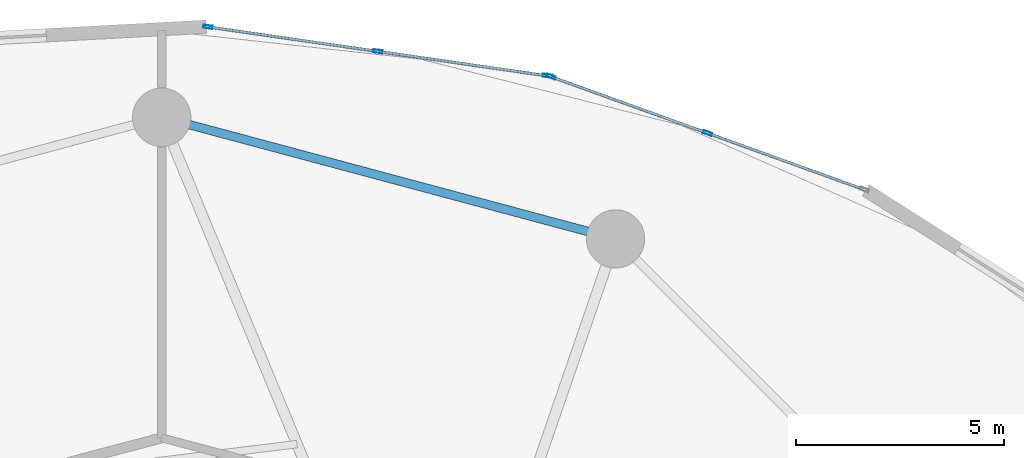
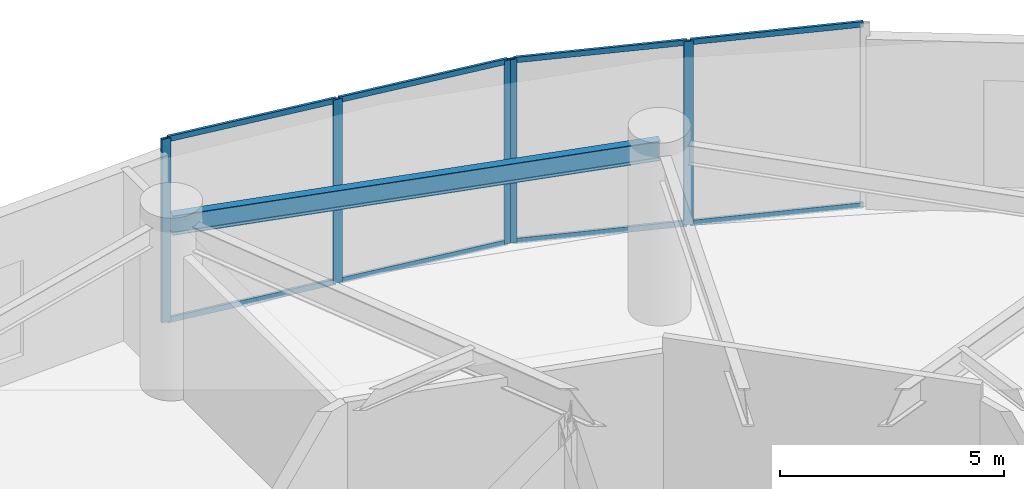
# One storey, part 20 of 31: 13 members, 1 beam, 2 elements without a shape of their own.
"""IFC4 building model written with IfcOpenShell, lengths in metres."""

from ifc_helpers import new_model, si_unit, direction, frame, origin, origin_2d, place, context, subcontext, project, spatial, hollow_rectangle, i_section, extrude, source, transform, mapped, material, layer, layer_set, material_profile, profile_set, type_object, element, aggregate, save


model = new_model("IFC4")

# Units and contexts
model_context = context("Model", 3, precision=1e-05, world=origin(), true_north=direction((0.0, 1.0)))
body_context = subcontext(model_context, "Body", "Model", "MODEL_VIEW")
ifc_project = project(units=[si_unit("LENGTHUNIT", "METRE"), si_unit("AREAUNIT", "SQUARE_METRE"), si_unit("VOLUMEUNIT", "CUBIC_METRE"), si_unit("PLANEANGLEUNIT", "RADIAN"), si_unit("MASSUNIT", "GRAM", prefix="KILO")], contexts=[model_context])

# Site, building, storey
site_placement = place(None, origin())
site = spatial("IfcSite", under=ifc_project, at=site_placement, CompositionType="ELEMENT")
building_placement = place(site_placement, origin())
building = spatial("IfcBuilding", under=site, at=building_placement, Name="Solvirekh Grand Hotel", CompositionType="ELEMENT")
storey_placement = place(building_placement, frame((0.0, 0.0, 18.60009765625)))
storey = spatial("IfcBuildingStorey", under=building, at=storey_placement, Name="L03", CompositionType="ELEMENT", Elevation=18.60009765625)

# Beam
ifc_material_1 = material(Name="Steel S355", Category="steel")
ifc_material_profile_1 = material_profile(ifc_material_1, i_section(OverallWidth=0.208984375, OverallDepth=0.532958984375, WebThickness=0.010009765625, FlangeThickness=0.014892578125, FilletRadius=0.013916015625, at=origin_2d()), Name="W530X92")
ifc_profile_set_1 = profile_set([ifc_material_profile_1], Name="Steel S355")
beam_type = type_object("IfcBeamType", Name="Spandrel_Ring_W530", PredefinedType="SPANDREL", material=ifc_profile_set_1)
beam_placement = place(storey_placement, frame((10.89990234375, 18.87890625, 4.372802734375), z_axis=(-0.965914248703, 0.258862249378, 0.0), x_axis=(-0.258862249378, -0.965914248703, 0.0)))
element("IfcBeam", 1, at=beam_placement, inside=storey, type_object=beam_type, Name="L03 perimeter spandrel beam 3", PredefinedType="SPANDREL", context=body_context, shape_type="SweptSolid", body=[
    extrude(i_section(OverallWidth=0.208984375, OverallDepth=0.532958984375, WebThickness=0.010009765625, FlangeThickness=0.014892578125, FilletRadius=0.013916015625, at=origin_2d()), origin(), (0.0, 0.0, 1.0), 11.284423828125),
])

# Curtain wall, members
ifc_material_2 = material(Name="Anodized Bronze Aluminium 6063-T6", Category="aluminium")
ifc_layer = layer(ifc_material_2, 0.219970703125)
ifc_layer_set = layer_set([ifc_layer], Name="Anodized Bronze Aluminium 6063-T6")
curtain_wall_type = type_object("IfcCurtainWallType", Name="CW_Sys1_PodiumBronzeUnitised", PredefinedType="NOTDEFINED", material=ifc_layer_set)
curtain_wall_1_placement = place(storey_placement, origin())
curtain_wall_1 = element("IfcCurtainWall", 2, at=curtain_wall_1_placement, inside=storey, type_object=curtain_wall_type, Name="L03 unitised bronze-glass curtain wall CW-L03-C05", PredefinedType="NOTDEFINED")
ifc_material_profile_2 = material_profile(ifc_material_2, hollow_rectangle(XDim=0.06494140625, YDim=0.14990234375, WallThickness=0.0048828125, at=origin_2d()), Name="ALU RHS 150X65X5")
ifc_profile_set_2 = profile_set([ifc_material_profile_2], Name="Anodized Bronze Aluminium 6063-T6")
member_type_1 = type_object("IfcMemberType", Name="CWTransom_Sys1", PredefinedType="USERDEFINED", material=ifc_profile_set_2)
shared_shape_1 = source(origin(), body_context, "Body", "SweptSolid", [
    extrude(hollow_rectangle(XDim=0.06494140625, YDim=0.14990234375, WallThickness=0.0048828125, at=origin_2d()), origin(), (0.0, 0.0, 1.0), 3.928466796875),
])
member_1_placement = place(storey_placement, frame((16.841552734375, 20.074462890625, 0.032470703125), z_axis=(-0.94078199805, 0.339012141588, 0.0), x_axis=(-0.339012141588, -0.94078199805, 0.0)))
member_1 = element("IfcMember", 3, at=member_1_placement, type_object=member_type_1, Name="U01 transom 1.1", ObjectType="TRANSOM", PredefinedType="USERDEFINED", context=body_context, shape_type="MappedRepresentation", body=[
    mapped(shared_shape_1, transform((0.0, 0.0, 0.0), x_axis=(1.0, 0.0, 0.0), y_axis=(0.0, 1.0, 0.0), z_axis=(0.0, 0.0, 1.0), scale=1.0)),
])
member_2_placement = place(storey_placement, frame((16.841552734375, 20.074462890625, 4.96728515625), z_axis=(-0.94078199805, 0.339012141588, 0.0), x_axis=(-0.339012141588, -0.94078199805, 0.0)))
member_2 = element("IfcMember", 4, at=member_2_placement, type_object=member_type_1, Name="U01 transom 1.2", ObjectType="TRANSOM", PredefinedType="USERDEFINED", context=body_context, shape_type="MappedRepresentation", body=[
    mapped(shared_shape_1, transform((0.0, 0.0, 0.0), x_axis=(1.0, 0.0, 0.0), y_axis=(0.0, 1.0, 0.0), z_axis=(0.0, 0.0, 1.0), scale=1.0)),
])

curtain_wall_2_placement = place(storey_placement, origin())
curtain_wall_2 = element("IfcCurtainWall", 5, at=curtain_wall_2_placement, inside=storey, type_object=curtain_wall_type, Name="L03 unitised bronze-glass curtain wall CW-L03-C06", PredefinedType="NOTDEFINED")
shared_shape_2 = source(origin(), body_context, "Body", "SweptSolid", [
    extrude(hollow_rectangle(XDim=0.06494140625, YDim=0.14990234375, WallThickness=0.0048828125, at=origin_2d()), origin(), (0.0, 0.0, 1.0), 4.048583984375),
])
member_3_placement = place(storey_placement, frame((5.1533203125, 23.387939453125, 0.032470703125), z_axis=(-0.989777503005, 0.142620105685, 0.0), x_axis=(-0.142620105685, -0.989777503005, 0.0)))
member_3 = element("IfcMember", 6, at=member_3_placement, type_object=member_type_1, Name="U01 transom 2.1", ObjectType="TRANSOM", PredefinedType="USERDEFINED", context=body_context, shape_type="MappedRepresentation", body=[
    mapped(shared_shape_2, transform((0.0, 0.0, 0.0), x_axis=(1.0, 0.0, 0.0), y_axis=(0.0, 1.0, 0.0), z_axis=(0.0, 0.0, 1.0), scale=1.0)),
])
member_4_placement = place(storey_placement, frame((5.1533203125, 23.387939453125, 4.96728515625), z_axis=(-0.989777503005, 0.142620105685, 0.0), x_axis=(-0.142620105685, -0.989777503005, 0.0)))
member_4 = element("IfcMember", 7, at=member_4_placement, type_object=member_type_1, Name="U01 transom 2.2", ObjectType="TRANSOM", PredefinedType="USERDEFINED", context=body_context, shape_type="MappedRepresentation", body=[
    mapped(shared_shape_2, transform((0.0, 0.0, 0.0), x_axis=(1.0, 0.0, 0.0), y_axis=(0.0, 1.0, 0.0), z_axis=(0.0, 0.0, 1.0), scale=1.0)),
])

# Member
shared_shape_3 = source(origin(), body_context, "Body", "SweptSolid", [
    extrude(hollow_rectangle(XDim=0.06494140625, YDim=0.14990234375, WallThickness=0.0048828125, at=origin_2d()), origin(), (0.0, 0.0, 1.0), 3.92822265625),
])
member_5_placement = place(storey_placement, frame((13.0751953125, 21.431640625, 0.032470703125), z_axis=(-0.940755030591, 0.339086968812, 0.0), x_axis=(-0.339086968812, -0.940755030591, 0.0)))
member_5 = element("IfcMember", 8, at=member_5_placement, type_object=member_type_1, Name="U01 transom 2.1", ObjectType="TRANSOM", PredefinedType="USERDEFINED", context=body_context, shape_type="MappedRepresentation", body=[
    mapped(shared_shape_3, transform((0.0, 0.0, 0.0), x_axis=(1.0, 0.0, 0.0), y_axis=(0.0, 1.0, 0.0), z_axis=(0.0, 0.0, 1.0), scale=1.0)),
])

member_6_placement = place(storey_placement, frame((13.0751953125, 21.431640625, 4.96728515625), z_axis=(-0.940755030591, 0.339086968812, 0.0), x_axis=(-0.339086968812, -0.940755030591, 0.0)))
member_6 = element("IfcMember", 9, at=member_6_placement, type_object=member_type_1, Name="U01 transom 2.2", ObjectType="TRANSOM", PredefinedType="USERDEFINED", context=body_context, shape_type="MappedRepresentation", body=[
    mapped(shared_shape_3, transform((0.0, 0.0, 0.0), x_axis=(1.0, 0.0, 0.0), y_axis=(0.0, 1.0, 0.0), z_axis=(0.0, 0.0, 1.0), scale=1.0)),
])

shared_shape_4 = source(origin(), body_context, "Body", "SweptSolid", [
    extrude(hollow_rectangle(XDim=0.06494140625, YDim=0.14990234375, WallThickness=0.0048828125, at=origin_2d()), origin(), (0.0, 0.0, 1.0), 4.048828125),
])
member_7_placement = place(storey_placement, frame((9.23486328125, 22.7998046875, 0.032470703125), z_axis=(-0.989778729518, 0.142611593476, 0.0), x_axis=(-0.142611593476, -0.989778729518, 0.0)))
member_7 = element("IfcMember", 10, at=member_7_placement, type_object=member_type_1, Name="U01 transom 1.1", ObjectType="TRANSOM", PredefinedType="USERDEFINED", context=body_context, shape_type="MappedRepresentation", body=[
    mapped(shared_shape_4, transform((0.0, 0.0, 0.0), x_axis=(1.0, 0.0, 0.0), y_axis=(0.0, 1.0, 0.0), z_axis=(0.0, 0.0, 1.0), scale=1.0)),
])

member_8_placement = place(storey_placement, frame((9.23486328125, 22.7998046875, 4.96728515625), z_axis=(-0.989778729518, 0.142611593476, 0.0), x_axis=(-0.142611593476, -0.989778729518, 0.0)))
member_8 = element("IfcMember", 11, at=member_8_placement, type_object=member_type_1, Name="U01 transom 1.2", ObjectType="TRANSOM", PredefinedType="USERDEFINED", context=body_context, shape_type="MappedRepresentation", body=[
    mapped(shared_shape_4, transform((0.0, 0.0, 0.0), x_axis=(1.0, 0.0, 0.0), y_axis=(0.0, 1.0, 0.0), z_axis=(0.0, 0.0, 1.0), scale=1.0)),
])

ifc_material_profile_3 = material_profile(ifc_material_2, hollow_rectangle(XDim=0.074951171875, YDim=0.219970703125, WallThickness=0.006103515625, at=origin_2d()), Name="ALU RHS 220X75X6")
ifc_profile_set_3 = profile_set([ifc_material_profile_3], Name="Anodized Bronze Aluminium 6063-T6")
member_type_2 = type_object("IfcMemberType", Name="CWMullion_Sys1", PredefinedType="MULLION", material=ifc_profile_set_3)
shared_shape_5 = source(origin(), body_context, "Body", "SweptSolid", [
    extrude(hollow_rectangle(XDim=0.074951171875, YDim=0.219970703125, WallThickness=0.006103515625, at=origin_2d()), origin(), (0.0, 0.0, 1.0), 5.0),
])
member_9_placement = place(storey_placement, frame((13.110595703125, 21.4189453125, 0.0), z_axis=(0.0, 0.0, 1.0), x_axis=(-0.339039307019, -0.940772208505, 0.0)))
member_9 = element("IfcMember", 12, at=member_9_placement, type_object=member_type_2, Name="U01 mullion 2", PredefinedType="MULLION", context=body_context, shape_type="MappedRepresentation", body=[
    mapped(shared_shape_5, transform((0.0, 0.0, 0.0), x_axis=(1.0, 0.0, 0.0), y_axis=(0.0, 1.0, 0.0), z_axis=(0.0, 0.0, 1.0), scale=1.0)),
])

member_10_placement = place(storey_placement, frame((9.34423828125, 22.7763671875, 0.0), z_axis=(0.0, 0.0, 1.0), x_axis=(-0.339039307019, -0.940772208505, 0.0)))
member_10 = element("IfcMember", 13, at=member_10_placement, type_object=member_type_2, Name="U01 mullion 3", PredefinedType="MULLION", context=body_context, shape_type="MappedRepresentation", body=[
    mapped(shared_shape_5, transform((0.0, 0.0, 0.0), x_axis=(1.0, 0.0, 0.0), y_axis=(0.0, 1.0, 0.0), z_axis=(0.0, 0.0, 1.0), scale=1.0)),
])

aggregate(curtain_wall_1, [member_9, member_10, member_1, member_2, member_5, member_6])

member_11_placement = place(storey_placement, frame((9.27197265625, 22.79443359375, 0.0), z_axis=(0.0, 0.0, 1.0), x_axis=(-0.142632484965, -0.989775719157, 0.0)))
member_11 = element("IfcMember", 14, at=member_11_placement, type_object=member_type_2, Name="U01 mullion 1", PredefinedType="MULLION", context=body_context, shape_type="MappedRepresentation", body=[
    mapped(shared_shape_5, transform((0.0, 0.0, 0.0), x_axis=(1.0, 0.0, 0.0), y_axis=(0.0, 1.0, 0.0), z_axis=(0.0, 0.0, 1.0), scale=1.0)),
])

member_12_placement = place(storey_placement, frame((5.1904296875, 23.382568359375, 0.0), z_axis=(0.0, 0.0, 1.0), x_axis=(-0.142632484965, -0.989775719157, 0.0)))
member_12 = element("IfcMember", 15, at=member_12_placement, type_object=member_type_2, Name="U01 mullion 2", PredefinedType="MULLION", context=body_context, shape_type="MappedRepresentation", body=[
    mapped(shared_shape_5, transform((0.0, 0.0, 0.0), x_axis=(1.0, 0.0, 0.0), y_axis=(0.0, 1.0, 0.0), z_axis=(0.0, 0.0, 1.0), scale=1.0)),
])

member_13_placement = place(storey_placement, frame((1.109130859375, 23.970703125, 0.0), z_axis=(0.0, 0.0, 1.0), x_axis=(-0.142632484965, -0.989775719157, 0.0)))
member_13 = element("IfcMember", 16, at=member_13_placement, type_object=member_type_2, Name="U01 mullion 3", PredefinedType="MULLION", context=body_context, shape_type="MappedRepresentation", body=[
    mapped(shared_shape_5, transform((0.0, 0.0, 0.0), x_axis=(1.0, 0.0, 0.0), y_axis=(0.0, 1.0, 0.0), z_axis=(0.0, 0.0, 1.0), scale=1.0)),
])

aggregate(curtain_wall_2, [member_11, member_12, member_13, member_7, member_8, member_3, member_4])

save(model, "model.ifc")
